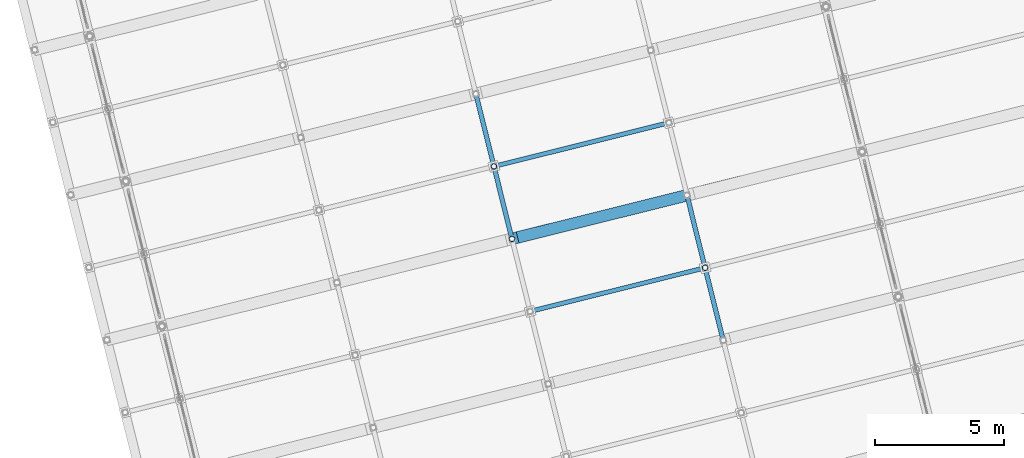
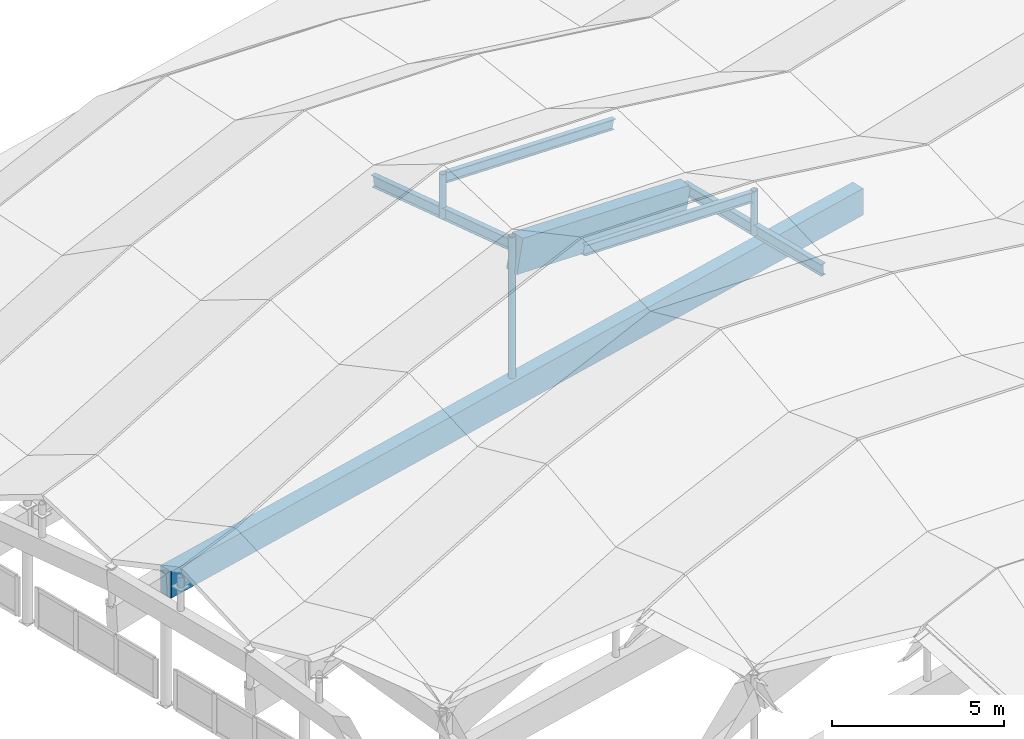
# One storey, part 23 of 65: 6 beams, 3 members.
"""IFC4 building model written with IfcOpenShell, lengths in metres."""

from ifc_helpers import new_model, si_unit, direction, frame, origin, origin_2d, place, context, subcontext, project, spatial, rectangle, hollow_circle, i_section, extrude, material, material_profile, profile_set, type_object, element, save


model = new_model("IFC4")

# Units and contexts
model_context = context("Model", 3, precision=1e-05, world=origin(), true_north=direction((0.0, 1.0)))
body_context = subcontext(model_context, "Body", "Model", "MODEL_VIEW")
ifc_project = project(units=[si_unit("LENGTHUNIT", "METRE"), si_unit("AREAUNIT", "SQUARE_METRE"), si_unit("VOLUMEUNIT", "CUBIC_METRE"), si_unit("PLANEANGLEUNIT", "RADIAN"), si_unit("MASSUNIT", "GRAM", prefix="KILO")], contexts=[model_context])

# Site, building, storey
site_placement = place(None, origin())
site = spatial("IfcSite", under=ifc_project, at=site_placement, CompositionType="ELEMENT")
building_placement = place(site_placement, origin())
building = spatial("IfcBuilding", under=site, at=building_placement, Name="Cinderway Yard Community Centre", CompositionType="ELEMENT")
storey_placement = place(building_placement, frame((0.0, 0.0, 24.300048828125)))
storey = spatial("IfcBuildingStorey", under=building, at=storey_placement, Name="RF", CompositionType="ELEMENT", Elevation=24.300048828125)

# Beams
ifc_material_1 = material(Name="Concrete C40/50", Category="concrete")
ifc_material_profile_1 = material_profile(ifc_material_1, rectangle(XDim=0.449951171875, YDim=1.199951171875, at=origin_2d()), Name="Concrete C40/50")
ifc_profile_set_1 = profile_set([ifc_material_profile_1], Name="Concrete C40/50")
beam_type_1 = type_object("IfcBeamType", Name="STR-BM-RC450X1200", PredefinedType="BEAM", material=ifc_profile_set_1)
beam_1_placement = place(storey_placement, frame((27.883056640625, 51.0400390625, -2.275146484375), z_axis=(0.950289361775, 0.2370088721, -0.2019329677), x_axis=(-0.241994109311, 0.970277718521, 0.0)))
element("IfcBeam", 1, at=beam_1_placement, inside=storey, type_object=beam_type_1, Name="Main Hall arch rib segment 05.3", PredefinedType="BEAM", context=body_context, shape_type="SweptSolid", body=[
    extrude(rectangle(XDim=0.449951171875, YDim=1.199951171875, at=origin_2d()), origin(), (0.0, 0.0, 1.0), 6.9326171875),
])
ifc_material_profile_2 = material_profile(ifc_material_1, rectangle(XDim=0.449951171875, YDim=0.949951171875, at=origin_2d()), Name="Concrete C40/50")
ifc_profile_set_2 = profile_set([ifc_material_profile_2], Name="Concrete C40/50")
beam_type_2 = type_object("IfcBeamType", Name="STR-BM-RC450X950", PredefinedType="BEAM", material=ifc_profile_set_2)
beam_2_placement = place(storey_placement, frame((14.197021484375, 47.6279296875, -7.080078125), z_axis=(0.970292083272, 0.241936506421, 0.0), x_axis=(-0.241936506421, 0.970292083272, 0.0)))
element("IfcBeam", 2, at=beam_2_placement, inside=storey, type_object=beam_type_2, Name="Main Hall folded-plate arch tie girder 05", PredefinedType="BEAM", context=body_context, shape_type="SweptSolid", body=[
    extrude(rectangle(XDim=0.449951171875, YDim=0.949951171875, at=origin_2d()), origin(), (0.0, 0.0, 1.0), 27.999755859375),
])
ifc_material_2 = material(Name="Steel S355", Category="steel")
ifc_material_profile_3 = material_profile(ifc_material_2, i_section(OverallWidth=0.172119140625, OverallDepth=0.35791015625, WebThickness=0.0078125, FlangeThickness=0.01318359375, FilletRadius=0.010986328125, at=origin_2d()), Name="Steel S355")
ifc_profile_set_3 = profile_set([ifc_material_profile_3], Name="Steel S355")
beam_type_3 = type_object("IfcBeamType", Name="STR-BM-W360X57", PredefinedType="JOIST", material=ifc_profile_set_3)
for number, where, z_axis, x_axis, name in (
    (3, (28.583984375, 48.22607421875, -0.679931640625), (0.95030760115, 0.236934300943, -0.201934643469), (-0.24191805497, 0.970296683844, 0.0), "Folded-plate ridge beam B4.4"),
    (4, (27.180908203125, 53.85400390625, -1.006103515625), (0.950306428843, 0.236969219538, -0.201899183482), (-0.241951902048, 0.970288244335, 0.0), "Folded-plate ridge beam B5.4"),
):
    element("IfcBeam", number, at=place(storey_placement, frame(where, z_axis=z_axis, x_axis=x_axis)), inside=storey, type_object=beam_type_3, Name=name, PredefinedType="JOIST", context=body_context, shape_type="SweptSolid", body=[
        extrude(i_section(OverallWidth=0.172119140625, OverallDepth=0.35791015625, WebThickness=0.0078125, FlangeThickness=0.01318359375, FilletRadius=0.010986328125, at=origin_2d()), origin(), (0.0, 0.0, 1.0), 6.93359375),
    ])
ifc_material_profile_4 = material_profile(ifc_material_2, i_section(OverallWidth=0.178955078125, OverallDepth=0.409912109375, WebThickness=0.0087890625, FlangeThickness=0.013427734375, FilletRadius=0.011962890625, at=origin_2d()), Name="Steel S355")
ifc_profile_set_4 = profile_set([ifc_material_profile_4], Name="Steel S355")
beam_type_4 = type_object("IfcBeamType", Name="STR-BM-W410X67", PredefinedType="JOIST", material=ifc_profile_set_4)
beam_3_placement = place(storey_placement, frame((35.97607421875, 47.080078125, -3.280029296875), z_axis=(-0.2419017199, 0.97030075642, 0.0), x_axis=(-0.97030075642, -0.2419017199, 0.0)))
element("IfcBeam", 5, at=beam_3_placement, inside=storey, type_object=beam_type_4, Name="Folded-plate valley beam B4-U21", PredefinedType="JOIST", context=body_context, shape_type="SweptSolid", body=[
    extrude(i_section(OverallWidth=0.178955078125, OverallDepth=0.409912109375, WebThickness=0.0087890625, FlangeThickness=0.013427734375, FilletRadius=0.011962890625, at=origin_2d()), origin(), (0.0, 0.0, 1.0), 5.80029296875),
])
beam_4_placement = place(storey_placement, frame((27.781005859375, 51.014892578125, -1.880126953125), z_axis=(-0.240417469121, 0.964221723641, -0.111695605107), x_axis=(-0.97029336587, -0.241931362474, 0.0)))
element("IfcBeam", 6, at=beam_4_placement, inside=storey, type_object=beam_type_4, Name="Folded-plate valley beam B5-U14", PredefinedType="JOIST", context=body_context, shape_type="SweptSolid", body=[
    extrude(i_section(OverallWidth=0.178955078125, OverallDepth=0.409912109375, WebThickness=0.0087890625, FlangeThickness=0.013427734375, FilletRadius=0.011962890625, at=origin_2d()), origin(), (0.0, 0.0, 1.0), 5.8359375),
])

# Members
ifc_material_profile_5 = material_profile(ifc_material_2, hollow_circle(Radius=0.109619140625, WallThickness=0.010009765625, at=origin_2d()), Name="Steel S355")
ifc_profile_set_5 = profile_set([ifc_material_profile_5], Name="Steel S355")
member_type = type_object("IfcMemberType", Name="STR-MEM-STRUT-CHS219", PredefinedType="STRUT", material=ifc_profile_set_5)
member_placement = place(storey_placement, frame((27.781005859375, 51.014892578125, -6.705078125), z_axis=(0.0, 0.0, 1.0), x_axis=(1.0, 0.0, 0.0)))
element("IfcMember", 7, at=member_placement, inside=storey, type_object=member_type, Name="Arch rib web post 05-14", PredefinedType="STRUT", context=body_context, shape_type="SweptSolid", body=[
    extrude(hollow_circle(Radius=0.109619140625, WallThickness=0.010009765625, at=origin_2d()), origin(), (0.0, 0.0, 1.0), 5.110107421875),
])
for number, where, z_axis, x_axis, name in (
    (8, (35.27490234375, 49.89404296875, -3.47509765625), (0.0, 0.0, 1.0), (1.0, 0.0, 0.0), "Folded-plate ridge kingpost B4-U21"),
    (9, (27.0791015625, 53.827880859375, -2.401123046875), (0.0, 0.0, 1.0), (1.0, 0.0, 0.0), "Folded-plate ridge kingpost B5-U14"),
):
    element("IfcMember", number, at=place(storey_placement, frame(where, z_axis=z_axis, x_axis=x_axis)), inside=storey, type_object=member_type, Name=name, PredefinedType="STRUT", context=body_context, shape_type="SweptSolid", body=[
        extrude(hollow_circle(Radius=0.109619140625, WallThickness=0.010009765625, at=origin_2d()), origin(), (0.0, 0.0, 1.0), 1.583984375),
    ])

save(model, "model.ifc")
